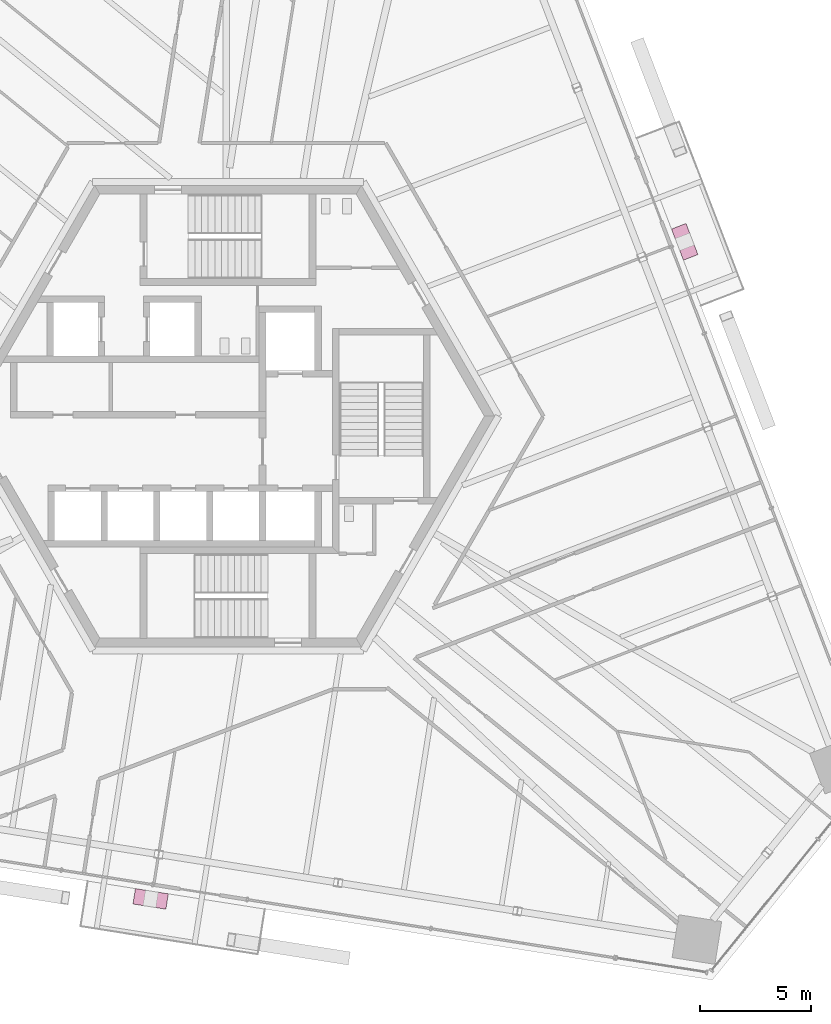
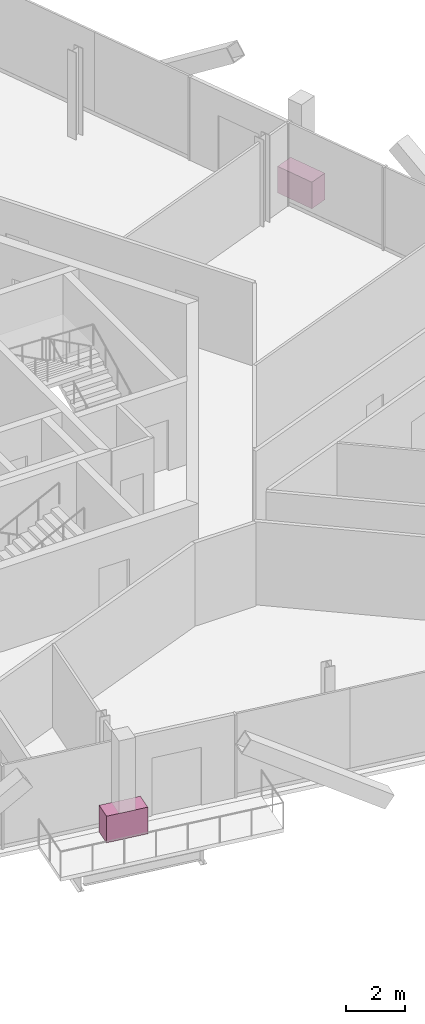
# One storey, part 18 of 19: 2 furniture elements.
"""IFC4 building model written with IfcOpenShell, lengths in metres."""

from ifc_helpers import new_model, si_unit, direction, frame, origin, origin_2d, place, context, subcontext, project, spatial, rectangle, extrude, source, transform, mapped, material, type_object, element, save


model = new_model("IFC4")

# Units and contexts
model_context = context("Model", 3, precision=1e-05, world=origin(), true_north=direction((0.0, 1.0)))
body_context = subcontext(model_context, "Body", "Model", "MODEL_VIEW")
ifc_project = project(units=[si_unit("LENGTHUNIT", "METRE"), si_unit("AREAUNIT", "SQUARE_METRE"), si_unit("VOLUMEUNIT", "CUBIC_METRE"), si_unit("PLANEANGLEUNIT", "RADIAN"), si_unit("MASSUNIT", "GRAM", prefix="KILO")], contexts=[model_context])

# Site, building, storey
site_placement = place(None, origin())
site = spatial("IfcSite", under=ifc_project, at=site_placement, CompositionType="ELEMENT")
building_placement = place(site_placement, origin())
building = spatial("IfcBuilding", under=site, at=building_placement, Name="Triune Harvest Tower", CompositionType="ELEMENT")
storey_placement = place(building_placement, frame((0.0, 0.0, 149.699951171875)))
storey = spatial("IfcBuildingStorey", under=building, at=storey_placement, Name="L38", CompositionType="ELEMENT", Elevation=149.699951171875)

# Furniture
ifc_material = material(Name="Concrete 40 MPa", Category="concrete")
furniture_type = type_object("IfcFurnitureType", Name="PB-1 structural planter", AssemblyPlace="SITE", PredefinedType="USERDEFINED", material=ifc_material)
shared_shape = source(origin(), body_context, "Body", "SweptSolid", [
    extrude(rectangle(XDim=1.5, YDim=0.699951171875, at=origin_2d()), origin(), (0.0, 0.0, 1.0), 1.10009765625),
])
for number, where, z_axis, x_axis, name in (
    (1, (20.553466796875, 7.847412109375, 0.0), (0.0, 0.0, 1.0), (-0.35836927228, 0.933579918746, 0.0), "Planter B4-F1 L38.7a"),
    (2, (-3.480712890625, -21.7236328125, 0.0), (0.0, 0.0, 1.0), (0.987688259912, -0.156434974453, 0.0), "Planter B4-F5 L38.7a"),
):
    element("IfcFurniture", number, at=place(storey_placement, frame(where, z_axis=z_axis, x_axis=x_axis)), inside=storey, type_object=furniture_type, Name=name, ObjectType="PLANTER", PredefinedType="USERDEFINED", context=body_context, shape_type="MappedRepresentation", body=[
        mapped(shared_shape, transform((0.0, 0.0, 0.0), scale=1.0)),
    ])

save(model, "model.ifc")
